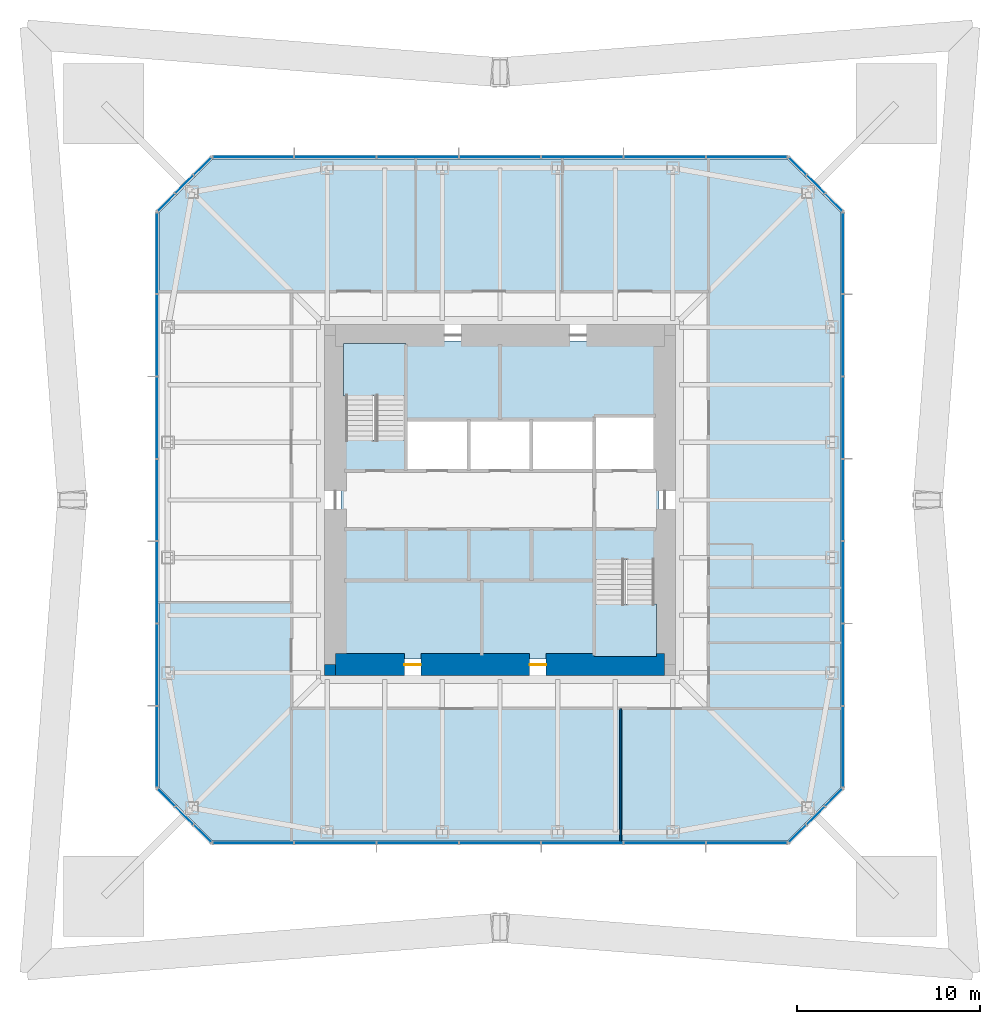
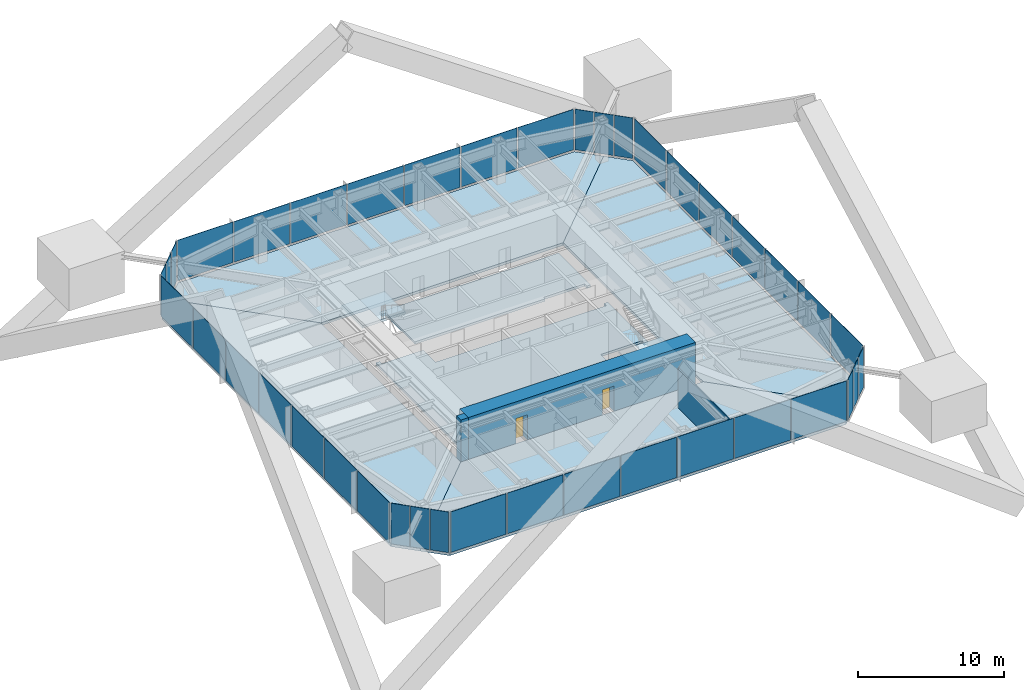
# One storey, part 7 of 11: 40 plates, 8 slabs, 3 walls, 2 doors, 2 openings, 10 elements without a shape of their own.
"""IFC4 building model written with IfcOpenShell, lengths in metres."""

from ifc_helpers import new_model, si_unit, direction, frame, frame_2d, origin, origin_2d, place, context, subcontext, project, spatial, polyline, rectangle, outline, extrude, material, layer, layer_set, constituent, constituent_set, type_object, element, fill, aggregate, save


model = new_model("IFC4")

# Units and contexts
model_context = context("Model", 3, precision=1e-05, world=origin(), true_north=direction((0.0, 1.0)))
body_context = subcontext(model_context, "Body", "Model", "MODEL_VIEW")
ifc_project = project(units=[si_unit("LENGTHUNIT", "METRE"), si_unit("AREAUNIT", "SQUARE_METRE"), si_unit("VOLUMEUNIT", "CUBIC_METRE"), si_unit("PLANEANGLEUNIT", "RADIAN"), si_unit("MASSUNIT", "GRAM", prefix="KILO")], contexts=[model_context])

# Site, building, storey
site_placement = place(None, origin())
site = spatial("IfcSite", under=ifc_project, at=site_placement, CompositionType="ELEMENT")
building_placement = place(site_placement, origin())
building = spatial("IfcBuilding", under=site, at=building_placement, Name="Iwan Alto Co-Living Towers", CompositionType="ELEMENT")
storey_placement = place(building_placement, frame((0.0, 0.0, 149.5)))
storey = spatial("IfcBuildingStorey", under=building, at=storey_placement, Name="L40", CompositionType="ELEMENT", Elevation=149.5)

# Slabs
ifc_material_1 = material(Name="Concrete f'c 30 MPa", Category="concrete")
ifc_layer_1 = layer(ifc_material_1, 0.199951171875)
ifc_layer_set_1 = layer_set([ifc_layer_1], Name="CORE FLOOR SLAB 200")
slab_type_1 = type_object("IfcSlabType", Name="CORE FLOOR SLAB 200", PredefinedType="FLOOR", material=ifc_layer_set_1)
slab_1_placement = place(storey_placement, frame((0.0, 0.0, -0.199951171875)))
element("IfcSlab", 1, at=slab_1_placement, inside=storey, type_object=slab_type_1, Name="T1 core floor L40", PredefinedType="FLOOR", context=body_context, shape_type="SweptSolid", body=[
    extrude(outline(polyline([(5.14990234375, -8.39990234375), (5.4599609375, -8.39990234375), (5.4599609375, -8.699951171875), (-8.699951171875, -8.699951171875), (-8.699951171875, 3.580078125), (-8.39990234375, 3.580078125), (-8.39990234375, 3.27001953125), (-5.14990234375, 3.27001953125), (-5.14990234375, 1.60009765625), (-1.717041015625, 1.60009765625), (1.717041015625, 1.60009765625), (5.14990234375, 1.60009765625), (8.39990234375, 1.60009765625), (8.39990234375, 1.909912109375), (8.699951171875, 1.909912109375), (8.699951171875, -3.580078125), (8.39990234375, -3.580078125), (8.39990234375, -3.27001953125), (5.14990234375, -3.27001953125), (5.14990234375, -8.39990234375)])), origin(), (0.0, 0.0, 1.0), 0.199951171875),
])
slab_2_placement = place(storey_placement, frame((0.0, 0.0, -0.199951171875)))
element("IfcSlab", 2, at=slab_2_placement, inside=storey, type_object=slab_type_1, Name="T1 core floor L40", PredefinedType="FLOOR", context=body_context, shape_type="SweptSolid", body=[
    extrude(outline(polyline([(1.717041015625, 4.39990234375), (-1.717041015625, 4.39990234375), (-5.14990234375, 4.39990234375), (-5.14990234375, 8.39990234375), (-5.4599609375, 8.39990234375), (-5.4599609375, 8.699951171875), (8.699951171875, 8.699951171875), (8.699951171875, 4.2900390625), (8.39990234375, 4.2900390625), (8.39990234375, 4.60009765625), (5.14990234375, 4.60009765625), (5.14990234375, 4.39990234375), (1.717041015625, 4.39990234375)])), origin(), (0.0, 0.0, 1.0), 0.199951171875),
])

# Curtain wall, plates
ifc_material_2 = material(Name="Bronze aluminium unitised frame", Category="aluminium")
curtain_wall_type_1 = type_object("IfcCurtainWallType", Name="CURTAIN WALL CW-A", PredefinedType="NOTDEFINED", material=ifc_material_2)
curtain_wall_1_placement = place(storey_placement, origin())
curtain_wall_1 = element("IfcCurtainWall", 3, at=curtain_wall_1_placement, inside=storey, type_object=curtain_wall_type_1, Name="T1 curtain wall S L40", PredefinedType="NOTDEFINED")
ifc_material_3 = material(Name="Bronze-tinted insulating glass", Category="glass")
ifc_layer_2 = layer(ifc_material_3, 0.031982421875)
ifc_layer_set_2 = layer_set([ifc_layer_2], Name="CW-A PANEL TINTED IGU 32")
plate_type_1 = type_object("IfcPlateType", Name="CW-A PANEL TINTED IGU 32", PredefinedType="CURTAIN_PANEL", material=ifc_layer_set_2)
plate_1_placement = place(storey_placement, frame((-13.47998046875, -18.75, 0.10009765625), z_axis=(0.0, 0.0, 1.0), x_axis=(1.0, 0.0, 0.0)))
plate_1 = element("IfcPlate", 4, at=plate_1_placement, type_object=plate_type_1, Name="CW-A panel 1.1", PredefinedType="CURTAIN_PANEL", context=body_context, shape_type="SweptSolid", body=[
    extrude(rectangle(XDim=4.3798828125, YDim=0.031982421875, at=origin_2d()), origin(), (0.0, 0.0, 1.0), 3.39990234375),
])
plate_2_placement = place(storey_placement, frame((-9.0, -18.75, 0.10009765625), z_axis=(0.0, 0.0, 1.0), x_axis=(1.0, 0.0, 0.0)))
plate_2 = element("IfcPlate", 5, at=plate_2_placement, type_object=plate_type_1, Name="CW-A panel 2.1", PredefinedType="CURTAIN_PANEL", context=body_context, shape_type="SweptSolid", body=[
    extrude(rectangle(XDim=4.419921875, YDim=0.031982421875, at=origin_2d()), origin(), (0.0, 0.0, 1.0), 3.39990234375),
])
plate_3_placement = place(storey_placement, frame((-4.5, -18.75, 0.10009765625), z_axis=(0.0, 0.0, 1.0), x_axis=(1.0, 0.0, 0.0)))
plate_3 = element("IfcPlate", 6, at=plate_3_placement, type_object=plate_type_1, Name="CW-A panel 3.1", PredefinedType="CURTAIN_PANEL", context=body_context, shape_type="SweptSolid", body=[
    extrude(rectangle(XDim=4.419921875, YDim=0.031982421875, at=origin_2d()), origin(), (0.0, 0.0, 1.0), 3.39990234375),
])
plate_4_placement = place(storey_placement, frame((0.0, -18.75, 0.10009765625), z_axis=(0.0, 0.0, 1.0), x_axis=(1.0, 0.0, 0.0)))
plate_4 = element("IfcPlate", 7, at=plate_4_placement, type_object=plate_type_1, Name="CW-A panel 4.1", PredefinedType="CURTAIN_PANEL", context=body_context, shape_type="SweptSolid", body=[
    extrude(rectangle(XDim=4.419921875, YDim=0.031982421875, at=origin_2d()), origin(), (0.0, 0.0, 1.0), 3.39990234375),
])
plate_5_placement = place(storey_placement, frame((4.5, -18.75, 0.10009765625), z_axis=(0.0, 0.0, 1.0), x_axis=(1.0, 0.0, 0.0)))
plate_5 = element("IfcPlate", 8, at=plate_5_placement, type_object=plate_type_1, Name="CW-A panel 5.1", PredefinedType="CURTAIN_PANEL", context=body_context, shape_type="SweptSolid", body=[
    extrude(rectangle(XDim=4.419921875, YDim=0.031982421875, at=origin_2d()), origin(), (0.0, 0.0, 1.0), 3.39990234375),
])
plate_6_placement = place(storey_placement, frame((9.0, -18.75, 0.10009765625), z_axis=(0.0, 0.0, 1.0), x_axis=(1.0, 0.0, 0.0)))
plate_6 = element("IfcPlate", 9, at=plate_6_placement, type_object=plate_type_1, Name="CW-A panel 6.1", PredefinedType="CURTAIN_PANEL", context=body_context, shape_type="SweptSolid", body=[
    extrude(rectangle(XDim=4.419921875, YDim=0.031982421875, at=origin_2d()), origin(), (0.0, 0.0, 1.0), 3.39990234375),
])
plate_7_placement = place(storey_placement, frame((13.47998046875, -18.75, 0.10009765625), z_axis=(0.0, 0.0, 1.0), x_axis=(1.0, 0.0, 0.0)))
plate_7 = element("IfcPlate", 10, at=plate_7_placement, type_object=plate_type_1, Name="CW-A panel 7.1", PredefinedType="CURTAIN_PANEL", context=body_context, shape_type="SweptSolid", body=[
    extrude(rectangle(XDim=4.3798828125, YDim=0.031982421875, at=origin_2d()), origin(), (0.0, 0.0, 1.0), 3.39990234375),
])
aggregate(curtain_wall_1, [plate_1, plate_2, plate_3, plate_4, plate_5, plate_6, plate_7])

curtain_wall_2_placement = place(storey_placement, origin())
curtain_wall_2 = element("IfcCurtainWall", 11, at=curtain_wall_2_placement, inside=storey, type_object=curtain_wall_type_1, Name="T1 curtain wall E L40", PredefinedType="NOTDEFINED")
plate_8_placement = place(storey_placement, frame((18.75, -13.47998046875, 0.10009765625), z_axis=(0.0, 0.0, 1.0), x_axis=(0.0, 1.0, 0.0)))
plate_8 = element("IfcPlate", 12, at=plate_8_placement, type_object=plate_type_1, Name="CW-A panel 1.1", PredefinedType="CURTAIN_PANEL", context=body_context, shape_type="SweptSolid", body=[
    extrude(rectangle(XDim=4.3798828125, YDim=0.031982421875, at=origin_2d()), origin(), (0.0, 0.0, 1.0), 3.39990234375),
])
plate_9_placement = place(storey_placement, frame((18.75, -9.0, 0.10009765625), z_axis=(0.0, 0.0, 1.0), x_axis=(0.0, 1.0, 0.0)))
plate_9 = element("IfcPlate", 13, at=plate_9_placement, type_object=plate_type_1, Name="CW-A panel 2.1", PredefinedType="CURTAIN_PANEL", context=body_context, shape_type="SweptSolid", body=[
    extrude(rectangle(XDim=4.419921875, YDim=0.031982421875, at=origin_2d()), origin(), (0.0, 0.0, 1.0), 3.39990234375),
])
plate_10_placement = place(storey_placement, frame((18.75, -4.5, 0.10009765625), z_axis=(0.0, 0.0, 1.0), x_axis=(0.0, 1.0, 0.0)))
plate_10 = element("IfcPlate", 14, at=plate_10_placement, type_object=plate_type_1, Name="CW-A panel 3.1", PredefinedType="CURTAIN_PANEL", context=body_context, shape_type="SweptSolid", body=[
    extrude(rectangle(XDim=4.419921875, YDim=0.031982421875, at=origin_2d()), origin(), (0.0, 0.0, 1.0), 3.39990234375),
])
plate_11_placement = place(storey_placement, frame((18.75, 0.0, 0.10009765625), z_axis=(0.0, 0.0, 1.0), x_axis=(0.0, 1.0, 0.0)))
plate_11 = element("IfcPlate", 15, at=plate_11_placement, type_object=plate_type_1, Name="CW-A panel 4.1", PredefinedType="CURTAIN_PANEL", context=body_context, shape_type="SweptSolid", body=[
    extrude(rectangle(XDim=4.419921875, YDim=0.031982421875, at=origin_2d()), origin(), (0.0, 0.0, 1.0), 3.39990234375),
])
plate_12_placement = place(storey_placement, frame((18.75, 4.5, 0.10009765625), z_axis=(0.0, 0.0, 1.0), x_axis=(0.0, 1.0, 0.0)))
plate_12 = element("IfcPlate", 16, at=plate_12_placement, type_object=plate_type_1, Name="CW-A panel 5.1", PredefinedType="CURTAIN_PANEL", context=body_context, shape_type="SweptSolid", body=[
    extrude(rectangle(XDim=4.419921875, YDim=0.031982421875, at=origin_2d()), origin(), (0.0, 0.0, 1.0), 3.39990234375),
])
plate_13_placement = place(storey_placement, frame((18.75, 9.0, 0.10009765625), z_axis=(0.0, 0.0, 1.0), x_axis=(0.0, 1.0, 0.0)))
plate_13 = element("IfcPlate", 17, at=plate_13_placement, type_object=plate_type_1, Name="CW-A panel 6.1", PredefinedType="CURTAIN_PANEL", context=body_context, shape_type="SweptSolid", body=[
    extrude(rectangle(XDim=4.419921875, YDim=0.031982421875, at=origin_2d()), origin(), (0.0, 0.0, 1.0), 3.39990234375),
])
plate_14_placement = place(storey_placement, frame((18.75, 13.47998046875, 0.10009765625), z_axis=(0.0, 0.0, 1.0), x_axis=(0.0, 1.0, 0.0)))
plate_14 = element("IfcPlate", 18, at=plate_14_placement, type_object=plate_type_1, Name="CW-A panel 7.1", PredefinedType="CURTAIN_PANEL", context=body_context, shape_type="SweptSolid", body=[
    extrude(rectangle(XDim=4.3798828125, YDim=0.031982421875, at=origin_2d()), origin(), (0.0, 0.0, 1.0), 3.39990234375),
])
aggregate(curtain_wall_2, [plate_8, plate_9, plate_10, plate_11, plate_12, plate_13, plate_14])

curtain_wall_3_placement = place(storey_placement, origin())
curtain_wall_3 = element("IfcCurtainWall", 19, at=curtain_wall_3_placement, inside=storey, type_object=curtain_wall_type_1, Name="T1 curtain wall N L40", PredefinedType="NOTDEFINED")
plate_15_placement = place(storey_placement, frame((13.47998046875, 18.75, 0.10009765625), z_axis=(0.0, 0.0, 1.0), x_axis=(-1.0, 0.0, 0.0)))
plate_15 = element("IfcPlate", 20, at=plate_15_placement, type_object=plate_type_1, Name="CW-A panel 1.1", PredefinedType="CURTAIN_PANEL", context=body_context, shape_type="SweptSolid", body=[
    extrude(rectangle(XDim=4.3798828125, YDim=0.031982421875, at=origin_2d()), origin(), (0.0, 0.0, 1.0), 3.39990234375),
])
plate_16_placement = place(storey_placement, frame((9.0, 18.75, 0.10009765625), z_axis=(0.0, 0.0, 1.0), x_axis=(-1.0, 0.0, 0.0)))
plate_16 = element("IfcPlate", 21, at=plate_16_placement, type_object=plate_type_1, Name="CW-A panel 2.1", PredefinedType="CURTAIN_PANEL", context=body_context, shape_type="SweptSolid", body=[
    extrude(rectangle(XDim=4.419921875, YDim=0.031982421875, at=origin_2d()), origin(), (0.0, 0.0, 1.0), 3.39990234375),
])
plate_17_placement = place(storey_placement, frame((4.5, 18.75, 0.10009765625), z_axis=(0.0, 0.0, 1.0), x_axis=(-1.0, 0.0, 0.0)))
plate_17 = element("IfcPlate", 22, at=plate_17_placement, type_object=plate_type_1, Name="CW-A panel 3.1", PredefinedType="CURTAIN_PANEL", context=body_context, shape_type="SweptSolid", body=[
    extrude(rectangle(XDim=4.419921875, YDim=0.031982421875, at=origin_2d()), origin(), (0.0, 0.0, 1.0), 3.39990234375),
])
plate_18_placement = place(storey_placement, frame((0.0, 18.75, 0.10009765625), z_axis=(0.0, 0.0, 1.0), x_axis=(-1.0, 0.0, 0.0)))
plate_18 = element("IfcPlate", 23, at=plate_18_placement, type_object=plate_type_1, Name="CW-A panel 4.1", PredefinedType="CURTAIN_PANEL", context=body_context, shape_type="SweptSolid", body=[
    extrude(rectangle(XDim=4.419921875, YDim=0.031982421875, at=origin_2d()), origin(), (0.0, 0.0, 1.0), 3.39990234375),
])
plate_19_placement = place(storey_placement, frame((-4.5, 18.75, 0.10009765625), z_axis=(0.0, 0.0, 1.0), x_axis=(-1.0, 0.0, 0.0)))
plate_19 = element("IfcPlate", 24, at=plate_19_placement, type_object=plate_type_1, Name="CW-A panel 5.1", PredefinedType="CURTAIN_PANEL", context=body_context, shape_type="SweptSolid", body=[
    extrude(rectangle(XDim=4.419921875, YDim=0.031982421875, at=origin_2d()), origin(), (0.0, 0.0, 1.0), 3.39990234375),
])
plate_20_placement = place(storey_placement, frame((-9.0, 18.75, 0.10009765625), z_axis=(0.0, 0.0, 1.0), x_axis=(-1.0, 0.0, 0.0)))
plate_20 = element("IfcPlate", 25, at=plate_20_placement, type_object=plate_type_1, Name="CW-A panel 6.1", PredefinedType="CURTAIN_PANEL", context=body_context, shape_type="SweptSolid", body=[
    extrude(rectangle(XDim=4.419921875, YDim=0.031982421875, at=origin_2d()), origin(), (0.0, 0.0, 1.0), 3.39990234375),
])
plate_21_placement = place(storey_placement, frame((-13.47998046875, 18.75, 0.10009765625), z_axis=(0.0, 0.0, 1.0), x_axis=(-1.0, 0.0, 0.0)))
plate_21 = element("IfcPlate", 26, at=plate_21_placement, type_object=plate_type_1, Name="CW-A panel 7.1", PredefinedType="CURTAIN_PANEL", context=body_context, shape_type="SweptSolid", body=[
    extrude(rectangle(XDim=4.3798828125, YDim=0.031982421875, at=origin_2d()), origin(), (0.0, 0.0, 1.0), 3.39990234375),
])
aggregate(curtain_wall_3, [plate_15, plate_16, plate_17, plate_18, plate_19, plate_20, plate_21])

curtain_wall_4_placement = place(storey_placement, origin())
curtain_wall_4 = element("IfcCurtainWall", 27, at=curtain_wall_4_placement, inside=storey, type_object=curtain_wall_type_1, Name="T1 curtain wall W L40", PredefinedType="NOTDEFINED")
plate_22_placement = place(storey_placement, frame((-18.75, 13.47998046875, 0.10009765625), z_axis=(0.0, 0.0, 1.0), x_axis=(0.0, -1.0, 0.0)))
plate_22 = element("IfcPlate", 28, at=plate_22_placement, type_object=plate_type_1, Name="CW-A panel 1.1", PredefinedType="CURTAIN_PANEL", context=body_context, shape_type="SweptSolid", body=[
    extrude(rectangle(XDim=4.3798828125, YDim=0.031982421875, at=origin_2d()), origin(), (0.0, 0.0, 1.0), 3.39990234375),
])
plate_23_placement = place(storey_placement, frame((-18.75, 9.0, 0.10009765625), z_axis=(0.0, 0.0, 1.0), x_axis=(0.0, -1.0, 0.0)))
plate_23 = element("IfcPlate", 29, at=plate_23_placement, type_object=plate_type_1, Name="CW-A panel 2.1", PredefinedType="CURTAIN_PANEL", context=body_context, shape_type="SweptSolid", body=[
    extrude(rectangle(XDim=4.419921875, YDim=0.031982421875, at=origin_2d()), origin(), (0.0, 0.0, 1.0), 3.39990234375),
])
plate_24_placement = place(storey_placement, frame((-18.75, 4.5, 0.10009765625), z_axis=(0.0, 0.0, 1.0), x_axis=(0.0, -1.0, 0.0)))
plate_24 = element("IfcPlate", 30, at=plate_24_placement, type_object=plate_type_1, Name="CW-A panel 3.1", PredefinedType="CURTAIN_PANEL", context=body_context, shape_type="SweptSolid", body=[
    extrude(rectangle(XDim=4.419921875, YDim=0.031982421875, at=origin_2d()), origin(), (0.0, 0.0, 1.0), 3.39990234375),
])
plate_25_placement = place(storey_placement, frame((-18.75, 0.0, 0.10009765625), z_axis=(0.0, 0.0, 1.0), x_axis=(0.0, -1.0, 0.0)))
plate_25 = element("IfcPlate", 31, at=plate_25_placement, type_object=plate_type_1, Name="CW-A panel 4.1", PredefinedType="CURTAIN_PANEL", context=body_context, shape_type="SweptSolid", body=[
    extrude(rectangle(XDim=4.419921875, YDim=0.031982421875, at=origin_2d()), origin(), (0.0, 0.0, 1.0), 3.39990234375),
])
plate_26_placement = place(storey_placement, frame((-18.75, -4.5, 0.10009765625), z_axis=(0.0, 0.0, 1.0), x_axis=(0.0, -1.0, 0.0)))
plate_26 = element("IfcPlate", 32, at=plate_26_placement, type_object=plate_type_1, Name="CW-A panel 5.1", PredefinedType="CURTAIN_PANEL", context=body_context, shape_type="SweptSolid", body=[
    extrude(rectangle(XDim=4.419921875, YDim=0.031982421875, at=origin_2d()), origin(), (0.0, 0.0, 1.0), 3.39990234375),
])
plate_27_placement = place(storey_placement, frame((-18.75, -9.0, 0.10009765625), z_axis=(0.0, 0.0, 1.0), x_axis=(0.0, -1.0, 0.0)))
plate_27 = element("IfcPlate", 33, at=plate_27_placement, type_object=plate_type_1, Name="CW-A panel 6.1", PredefinedType="CURTAIN_PANEL", context=body_context, shape_type="SweptSolid", body=[
    extrude(rectangle(XDim=4.419921875, YDim=0.031982421875, at=origin_2d()), origin(), (0.0, 0.0, 1.0), 3.39990234375),
])
plate_28_placement = place(storey_placement, frame((-18.75, -13.47998046875, 0.10009765625), z_axis=(0.0, 0.0, 1.0), x_axis=(0.0, -1.0, 0.0)))
plate_28 = element("IfcPlate", 34, at=plate_28_placement, type_object=plate_type_1, Name="CW-A panel 7.1", PredefinedType="CURTAIN_PANEL", context=body_context, shape_type="SweptSolid", body=[
    extrude(rectangle(XDim=4.3798828125, YDim=0.031982421875, at=origin_2d()), origin(), (0.0, 0.0, 1.0), 3.39990234375),
])
aggregate(curtain_wall_4, [plate_22, plate_23, plate_24, plate_25, plate_26, plate_27, plate_28])

ifc_material_4 = material(Name="Bronze aluminium unitised frame", Category="aluminium")
curtain_wall_type_2 = type_object("IfcCurtainWallType", Name="CURTAIN WALL CW-B", PredefinedType="NOTDEFINED", material=ifc_material_4)
curtain_wall_5_placement = place(storey_placement, origin())
curtain_wall_5 = element("IfcCurtainWall", 35, at=curtain_wall_5_placement, inside=storey, type_object=curtain_wall_type_2, Name="T1 chamfer curtain wall SE L40", PredefinedType="NOTDEFINED")
ifc_material_5 = material(Name="Bronze-tinted insulating glass", Category="glass")
ifc_layer_3 = layer(ifc_material_5, 0.031982421875)
ifc_layer_set_3 = layer_set([ifc_layer_3], Name="CW-B PANEL TINTED IGU 32")
plate_type_2 = type_object("IfcPlateType", Name="CW-B PANEL TINTED IGU 32", PredefinedType="CURTAIN_PANEL", material=ifc_layer_set_3)
plate_29_placement = place(storey_placement, frame((16.26416015625, -18.23583984375, 0.10009765625), z_axis=(0.0, 0.0, 1.0), x_axis=(0.707106781187, 0.707106781187, 0.0)))
plate_29 = element("IfcPlate", 36, at=plate_29_placement, type_object=plate_type_2, Name="CW-B panel 1.1", PredefinedType="CURTAIN_PANEL", context=body_context, shape_type="SweptSolid", body=[
    extrude(rectangle(XDim=1.294189453125, YDim=0.031982421875, at=origin_2d()), origin(), (0.0, 0.0, 1.0), 3.39990234375),
])
plate_30_placement = place(storey_placement, frame((17.25, -17.25, 0.10009765625), z_axis=(0.0, 0.0, 1.0), x_axis=(0.707106781187, 0.707106781187, 0.0)))
plate_30 = element("IfcPlate", 37, at=plate_30_placement, type_object=plate_type_2, Name="CW-B panel 2.1", PredefinedType="CURTAIN_PANEL", context=body_context, shape_type="SweptSolid", body=[
    extrude(rectangle(XDim=1.334228515625, YDim=0.031982421875, at=origin_2d()), origin(), (0.0, 0.0, 1.0), 3.39990234375),
])
plate_31_placement = place(storey_placement, frame((18.23583984375, -16.26416015625, 0.10009765625), z_axis=(0.0, 0.0, 1.0), x_axis=(0.707106781187, 0.707106781187, 0.0)))
plate_31 = element("IfcPlate", 38, at=plate_31_placement, type_object=plate_type_2, Name="CW-B panel 3.1", PredefinedType="CURTAIN_PANEL", context=body_context, shape_type="SweptSolid", body=[
    extrude(rectangle(XDim=1.294189453125, YDim=0.031982421875, at=origin_2d()), origin(), (0.0, 0.0, 1.0), 3.39990234375),
])
aggregate(curtain_wall_5, [plate_29, plate_30, plate_31])

curtain_wall_6_placement = place(storey_placement, origin())
curtain_wall_6 = element("IfcCurtainWall", 39, at=curtain_wall_6_placement, inside=storey, type_object=curtain_wall_type_2, Name="T1 chamfer curtain wall NE L40", PredefinedType="NOTDEFINED")
plate_32_placement = place(storey_placement, frame((18.23583984375, 16.26416015625, 0.10009765625), z_axis=(0.0, 0.0, 1.0), x_axis=(-0.707106781187, 0.707106781187, 0.0)))
plate_32 = element("IfcPlate", 40, at=plate_32_placement, type_object=plate_type_2, Name="CW-B panel 1.1", PredefinedType="CURTAIN_PANEL", context=body_context, shape_type="SweptSolid", body=[
    extrude(rectangle(XDim=1.294189453125, YDim=0.031982421875, at=origin_2d()), origin(), (0.0, 0.0, 1.0), 3.39990234375),
])
plate_33_placement = place(storey_placement, frame((17.25, 17.25, 0.10009765625), z_axis=(0.0, 0.0, 1.0), x_axis=(-0.707106781187, 0.707106781187, 0.0)))
plate_33 = element("IfcPlate", 41, at=plate_33_placement, type_object=plate_type_2, Name="CW-B panel 2.1", PredefinedType="CURTAIN_PANEL", context=body_context, shape_type="SweptSolid", body=[
    extrude(rectangle(XDim=1.334228515625, YDim=0.031982421875, at=origin_2d()), origin(), (0.0, 0.0, 1.0), 3.39990234375),
])
plate_34_placement = place(storey_placement, frame((16.26416015625, 18.23583984375, 0.10009765625), z_axis=(0.0, 0.0, 1.0), x_axis=(-0.707106781187, 0.707106781187, 0.0)))
plate_34 = element("IfcPlate", 42, at=plate_34_placement, type_object=plate_type_2, Name="CW-B panel 3.1", PredefinedType="CURTAIN_PANEL", context=body_context, shape_type="SweptSolid", body=[
    extrude(rectangle(XDim=1.294189453125, YDim=0.031982421875, at=origin_2d()), origin(), (0.0, 0.0, 1.0), 3.39990234375),
])
aggregate(curtain_wall_6, [plate_32, plate_33, plate_34])

curtain_wall_7_placement = place(storey_placement, origin())
curtain_wall_7 = element("IfcCurtainWall", 43, at=curtain_wall_7_placement, inside=storey, type_object=curtain_wall_type_2, Name="T1 chamfer curtain wall NW L40", PredefinedType="NOTDEFINED")
plate_35_placement = place(storey_placement, frame((-16.26416015625, 18.23583984375, 0.10009765625), z_axis=(0.0, 0.0, 1.0), x_axis=(-0.707106781187, -0.707106781187, 0.0)))
plate_35 = element("IfcPlate", 44, at=plate_35_placement, type_object=plate_type_2, Name="CW-B panel 1.1", PredefinedType="CURTAIN_PANEL", context=body_context, shape_type="SweptSolid", body=[
    extrude(rectangle(XDim=1.294189453125, YDim=0.031982421875, at=origin_2d()), origin(), (0.0, 0.0, 1.0), 3.39990234375),
])
plate_36_placement = place(storey_placement, frame((-17.25, 17.25, 0.10009765625), z_axis=(0.0, 0.0, 1.0), x_axis=(-0.707106781187, -0.707106781187, 0.0)))
plate_36 = element("IfcPlate", 45, at=plate_36_placement, type_object=plate_type_2, Name="CW-B panel 2.1", PredefinedType="CURTAIN_PANEL", context=body_context, shape_type="SweptSolid", body=[
    extrude(rectangle(XDim=1.334228515625, YDim=0.031982421875, at=origin_2d()), origin(), (0.0, 0.0, 1.0), 3.39990234375),
])
plate_37_placement = place(storey_placement, frame((-18.23583984375, 16.26416015625, 0.10009765625), z_axis=(0.0, 0.0, 1.0), x_axis=(-0.707106781187, -0.707106781187, 0.0)))
plate_37 = element("IfcPlate", 46, at=plate_37_placement, type_object=plate_type_2, Name="CW-B panel 3.1", PredefinedType="CURTAIN_PANEL", context=body_context, shape_type="SweptSolid", body=[
    extrude(rectangle(XDim=1.294189453125, YDim=0.031982421875, at=origin_2d()), origin(), (0.0, 0.0, 1.0), 3.39990234375),
])
aggregate(curtain_wall_7, [plate_35, plate_36, plate_37])

curtain_wall_8_placement = place(storey_placement, origin())
curtain_wall_8 = element("IfcCurtainWall", 47, at=curtain_wall_8_placement, inside=storey, type_object=curtain_wall_type_2, Name="T1 chamfer curtain wall SW L40", PredefinedType="NOTDEFINED")
plate_38_placement = place(storey_placement, frame((-18.23583984375, -16.26416015625, 0.10009765625), z_axis=(0.0, 0.0, 1.0), x_axis=(0.707106781187, -0.707106781187, 0.0)))
plate_38 = element("IfcPlate", 48, at=plate_38_placement, type_object=plate_type_2, Name="CW-B panel 1.1", PredefinedType="CURTAIN_PANEL", context=body_context, shape_type="SweptSolid", body=[
    extrude(rectangle(XDim=1.294189453125, YDim=0.031982421875, at=origin_2d()), origin(), (0.0, 0.0, 1.0), 3.39990234375),
])
plate_39_placement = place(storey_placement, frame((-17.25, -17.25, 0.10009765625), z_axis=(0.0, 0.0, 1.0), x_axis=(0.707106781187, -0.707106781187, 0.0)))
plate_39 = element("IfcPlate", 49, at=plate_39_placement, type_object=plate_type_2, Name="CW-B panel 2.1", PredefinedType="CURTAIN_PANEL", context=body_context, shape_type="SweptSolid", body=[
    extrude(rectangle(XDim=1.334228515625, YDim=0.031982421875, at=origin_2d()), origin(), (0.0, 0.0, 1.0), 3.39990234375),
])
plate_40_placement = place(storey_placement, frame((-16.26416015625, -18.23583984375, 0.10009765625), z_axis=(0.0, 0.0, 1.0), x_axis=(0.707106781187, -0.707106781187, 0.0)))
plate_40 = element("IfcPlate", 50, at=plate_40_placement, type_object=plate_type_2, Name="CW-B panel 3.1", PredefinedType="CURTAIN_PANEL", context=body_context, shape_type="SweptSolid", body=[
    extrude(rectangle(XDim=1.294189453125, YDim=0.031982421875, at=origin_2d()), origin(), (0.0, 0.0, 1.0), 3.39990234375),
])
aggregate(curtain_wall_8, [plate_38, plate_39, plate_40])

# Stair, slab
ifc_material_6 = material(Name="Steel ASTM A36", Category="steel")
ifc_constituent_1 = constituent(ifc_material_6, Name="Stringers", Category="LoadBearing")
ifc_material_7 = material(Name="Concrete f'c 30 MPa", Category="concrete")
ifc_constituent_2 = constituent(ifc_material_7, Name="Tread fill", Category="Finish")
ifc_constituent_set = constituent_set(constituents=[ifc_constituent_1, ifc_constituent_2], Name="STAIR 3500 TWO-FLIGHT T1 CORE")
stair_type = type_object("IfcStairType", Name="STAIR 3500 TWO-FLIGHT T1 CORE", PredefinedType="HALF_TURN_STAIR", material=ifc_constituent_set)
stair_1_placement = place(storey_placement, origin())
stair_1 = element("IfcStair", 51, at=stair_1_placement, inside=storey, type_object=stair_type, Name="Stair T1-S1 L40 to L41", PredefinedType="HALF_TURN_STAIR")
ifc_material_8 = material(Name="Concrete f'c 30 MPa", Category="concrete")
ifc_layer_4 = layer(ifc_material_8, 0.199951171875)
ifc_layer_set_4 = layer_set([ifc_layer_4], Name="STAIR LANDING 200")
slab_type_2 = type_object("IfcSlabType", Name="STAIR LANDING 200", PredefinedType="LANDING", material=ifc_layer_set_4)
slab_3_placement = place(storey_placement, frame((0.0, 0.0, 1.550048828125)))
slab_3 = element("IfcSlab", 52, at=slab_3_placement, type_object=slab_type_2, Name="T1-S1 landing 1", PredefinedType="LANDING", context=body_context, shape_type="SweptSolid", body=[
    extrude(outline(polyline([(-8.550048828125, 5.68994140625), (-8.550048828125, 8.550048828125), (-5.14990234375, 8.550048828125), (-5.14990234375, 5.68994140625), (-8.550048828125, 5.68994140625)])), origin(), (0.0, 0.0, 1.0), 0.199951171875),
])
aggregate(stair_1, [slab_3])

stair_2_placement = place(storey_placement, origin())
stair_2 = element("IfcStair", 53, at=stair_2_placement, inside=storey, type_object=stair_type, Name="Stair T1-S2 L40 to L41", PredefinedType="HALF_TURN_STAIR")
slab_4_placement = place(storey_placement, frame((0.0, 0.0, 1.550048828125)))
slab_4 = element("IfcSlab", 54, at=slab_4_placement, type_object=slab_type_2, Name="T1-S2 landing 1", PredefinedType="LANDING", context=body_context, shape_type="SweptSolid", body=[
    extrude(outline(polyline([(5.14990234375, -5.68994140625), (5.14990234375, -8.550048828125), (8.550048828125, -8.550048828125), (8.550048828125, -5.68994140625), (5.14990234375, -5.68994140625)])), origin(), (0.0, 0.0, 1.0), 0.199951171875),
])
aggregate(stair_2, [slab_4])

# Slabs
ifc_material_9 = material(Name="Concrete f'c 30 MPa", Category="concrete")
ifc_layer_5 = layer(ifc_material_9, 0.22998046875)
ifc_layer_set_5 = layer_set([ifc_layer_5], Name="T1 FLOOR SLAB 230")
slab_type_3 = type_object("IfcSlabType", Name="T1 FLOOR SLAB 230", PredefinedType="FLOOR", material=ifc_layer_set_5)
slab_5_placement = place(storey_placement, frame((0.0, 0.0, -0.22998046875)))
element("IfcSlab", 55, at=slab_5_placement, inside=storey, type_object=slab_type_3, Name="T1 floor slab L40 S pour", PredefinedType="FLOOR", context=body_context, shape_type="SweptSolid", body=[
    extrude(outline(polyline([(15.69140625, -18.64990234375), (-15.69140625, -18.64990234375), (-17.170654296875, -17.170654296875), (-9.60009765625, -9.60009765625), (9.60009765625, -9.60009765625), (17.170654296875, -17.170654296875), (15.69140625, -18.64990234375)])), origin(), (0.0, 0.0, 1.0), 0.22998046875),
])
slab_6_placement = place(storey_placement, frame((0.0, 0.0, -0.22998046875)))
element("IfcSlab", 56, at=slab_6_placement, inside=storey, type_object=slab_type_3, Name="T1 floor slab L40 E pour", PredefinedType="FLOOR", context=body_context, shape_type="SweptSolid", body=[
    extrude(outline(polyline([(18.64990234375, 15.69140625), (18.64990234375, -15.69140625), (17.170654296875, -17.170654296875), (9.60009765625, -9.60009765625), (9.60009765625, 9.60009765625), (17.170654296875, 17.170654296875), (18.64990234375, 15.69140625)])), origin(), (0.0, 0.0, 1.0), 0.22998046875),
])
slab_7_placement = place(storey_placement, frame((0.0, 0.0, -0.22998046875)))
element("IfcSlab", 57, at=slab_7_placement, inside=storey, type_object=slab_type_3, Name="T1 floor slab L40 N pour", PredefinedType="FLOOR", context=body_context, shape_type="SweptSolid", body=[
    extrude(outline(polyline([(-15.69140625, 18.64990234375), (15.69140625, 18.64990234375), (17.170654296875, 17.170654296875), (9.60009765625, 9.60009765625), (-9.60009765625, 9.60009765625), (-17.170654296875, 17.170654296875), (-15.69140625, 18.64990234375)])), origin(), (0.0, 0.0, 1.0), 0.22998046875),
])
slab_8_placement = place(storey_placement, frame((0.0, 0.0, -0.22998046875)))
element("IfcSlab", 58, at=slab_8_placement, inside=storey, type_object=slab_type_3, Name="T1 floor slab L40 W pour", PredefinedType="FLOOR", context=body_context, shape_type="SweptSolid", body=[
    extrude(outline(polyline([(-18.64990234375, 15.69140625), (-17.170654296875, 17.170654296875), (-9.60009765625, 9.60009765625), (-9.60009765625, -9.60009765625), (-17.170654296875, -17.170654296875), (-18.64990234375, -15.69140625), (-18.64990234375, 15.69140625)])), origin(), (0.0, 0.0, 1.0), 0.22998046875),
])

# Walls
ifc_material_10 = material(Name="Gypsum board")
ifc_layer_6 = layer(ifc_material_10, 0.012451171875, Name="Board", Category="Finish")
ifc_material_11 = material(Name="Steel ASTM A1003 ST33H cold-formed studs", Category="steel")
ifc_layer_7 = layer(ifc_material_11, 0.074951171875, Name="Studs", Category="Framing")
ifc_layer_8 = layer(ifc_material_10, 0.012451171875, Name="Board", Category="Finish")
ifc_layer_set_6 = layer_set([ifc_layer_6, ifc_layer_7, ifc_layer_8], Name="PARTITION 100")
wall_type_1 = type_object("IfcWallType", Name="PARTITION 100", PredefinedType="PARTITIONING", material=ifc_layer_set_6)
wall_1_placement = place(storey_placement, frame((6.60009765625, -18.68994140625, 0.0), z_axis=(0.0, 0.0, 1.0), x_axis=(0.0, 1.0, 0.0)))
element("IfcWall", 59, at=wall_1_placement, inside=storey, type_object=wall_type_1, Name="Partition L40", PredefinedType="PARTITIONING", context=body_context, shape_type="SweptSolid", body=[
    extrude(rectangle(XDim=7.2900390625, YDim=0.10009765625, at=frame_2d((3.64501953125, 0.0))), origin(), (0.0, 0.0, 1.0), 3.27001953125),
])
ifc_material_12 = material(Name="Concrete f'c 70 MPa", Category="concrete")
ifc_layer_9 = layer(ifc_material_12, 0.60009765625)
ifc_layer_set_7 = layer_set([ifc_layer_9], Name="T1 CORE CORNER FILL 600")
wall_type_2 = type_object("IfcWallType", Name="T1 CORE CORNER FILL 600", PredefinedType="SOLIDWALL", material=ifc_layer_set_7)
wall_2_placement = place(storey_placement, frame((-9.60009765625, -9.300048828125, 0.0), z_axis=(0.0, 0.0, 1.0), x_axis=(1.0, 0.0, 0.0)))
element("IfcWall", 60, at=wall_2_placement, inside=storey, type_object=wall_type_2, Name="T1 core corner SW L40", PredefinedType="SOLIDWALL", context=body_context, shape_type="SweptSolid", body=[
    extrude(rectangle(XDim=0.60009765625, YDim=0.60009765625, at=frame_2d((0.300048828125, 0.0))), origin(), (0.0, 0.0, 1.0), 3.5),
])

# Wall, openings, doors
ifc_material_13 = material(Name="Concrete f'c 70 MPa", Category="concrete")
ifc_layer_10 = layer(ifc_material_13, 1.199951171875)
ifc_layer_set_8 = layer_set([ifc_layer_10], Name="T1 CORE WALL 1200")
wall_type_3 = type_object("IfcWallType", Name="T1 CORE WALL 1200", PredefinedType="SHEAR", material=ifc_layer_set_8)
wall_3_placement = place(storey_placement, frame((-9.0, -9.0, 0.0), z_axis=(0.0, 0.0, 1.0), x_axis=(1.0, 0.0, 0.0)))
wall_3 = element("IfcWall", 61, at=wall_3_placement, inside=storey, type_object=wall_type_3, Name="T1 core wall S L40", PredefinedType="SHEAR", context=body_context, shape_type="SweptSolid", body=[
    extrude(rectangle(XDim=18.0, YDim=1.199951171875, at=frame_2d((9.0, 0.0))), origin(), (0.0, 0.0, 1.0), 3.5),
])
opening_1_placement = place(wall_3_placement, frame((3.77490234375, 0.0, 0.0)))
opening_1 = element("IfcOpeningElement", 62, at=opening_1_placement, cuts=wall_3, Name="Opening D8", PredefinedType="OPENING", context=body_context, shape_type="SweptSolid", body=[
    extrude(rectangle(XDim=0.89990234375, YDim=2.10009765625, at=frame_2d((0.449951171875, 1.050048828125))), frame((0.0, 0.60986328125, 0.0), z_axis=(0.0, -1.0, 0.0), x_axis=(1.0, 0.0, 0.0)), (0.0, 0.0, 1.0), 1.219970703125),
])
opening_2_placement = place(wall_3_placement, frame((10.625, 0.0, 0.0)))
opening_2 = element("IfcOpeningElement", 63, at=opening_2_placement, cuts=wall_3, Name="Opening D8", PredefinedType="OPENING", context=body_context, shape_type="SweptSolid", body=[
    extrude(rectangle(XDim=0.89990234375, YDim=2.10009765625, at=frame_2d((0.449951171875, 1.050048828125))), frame((0.0, 0.60986328125, 0.0), z_axis=(0.0, -1.0, 0.0), x_axis=(1.0, 0.0, 0.0)), (0.0, 0.0, 1.0), 1.219970703125),
])
ifc_material_14 = material(Name="Steel frame with timber leaf", Category="steel")
door_type = type_object("IfcDoorType", Name="RISER DOOR FD120 900X2100", OperationType="SINGLE_SWING_LEFT", PredefinedType="DOOR", material=ifc_material_14)
door_1_placement = place(opening_1_placement, origin())
door_1 = element("IfcDoor", 64, at=door_1_placement, inside=storey, type_object=door_type, Name="Refuse room core door L40", OperationType="SINGLE_SWING_LEFT", OverallHeight=2.10009765625, OverallWidth=0.89990234375, PredefinedType="DOOR", context=body_context, shape_type="SweptSolid", body=[
    extrude(rectangle(XDim=0.89990234375, YDim=2.10009765625, at=frame_2d((0.449951171875, 1.050048828125))), frame((0.0, 0.02490234375, 0.0), z_axis=(0.0, -1.0, 0.0), x_axis=(1.0, 0.0, 0.0)), (0.0, 0.0, 1.0), 0.050048828125),
])
fill(opening_1, door_1)
door_2_placement = place(opening_2_placement, origin())
door_2 = element("IfcDoor", 65, at=door_2_placement, inside=storey, type_object=door_type, Name="Telecom riser core door L40", OperationType="SINGLE_SWING_LEFT", OverallHeight=2.10009765625, OverallWidth=0.89990234375, PredefinedType="DOOR", context=body_context, shape_type="SweptSolid", body=[
    extrude(rectangle(XDim=0.89990234375, YDim=2.10009765625, at=frame_2d((0.449951171875, 1.050048828125))), frame((0.0, 0.02490234375, 0.0), z_axis=(0.0, -1.0, 0.0), x_axis=(1.0, 0.0, 0.0)), (0.0, 0.0, 1.0), 0.050048828125),
])
fill(opening_2, door_2)

save(model, "model.ifc")
